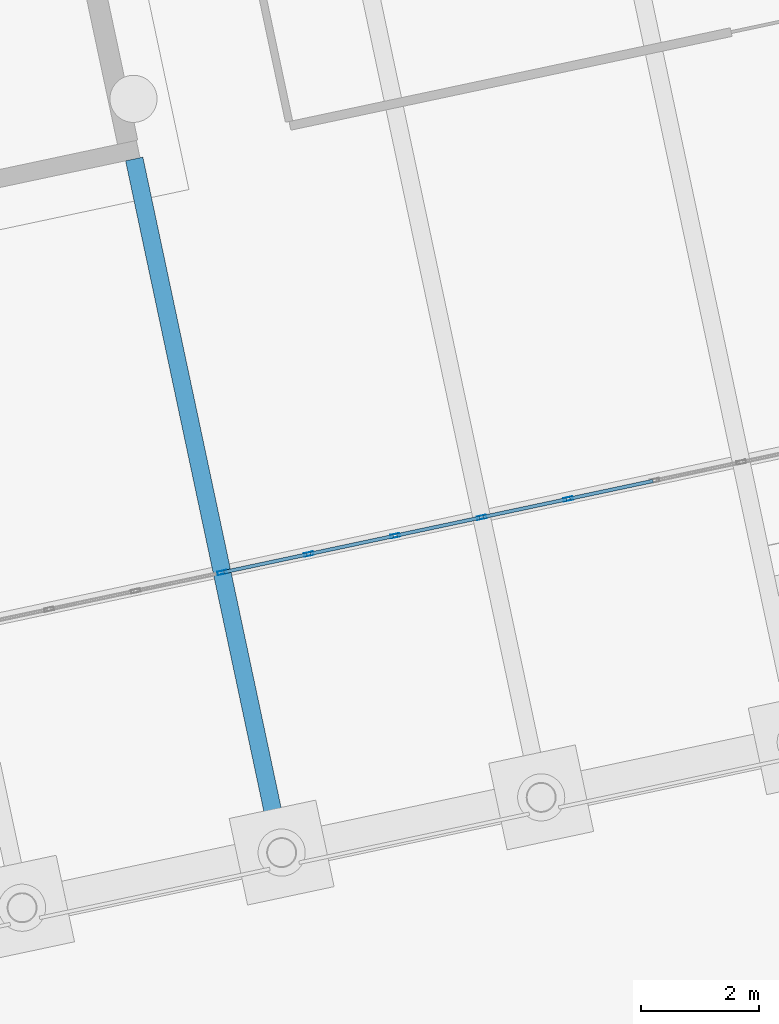
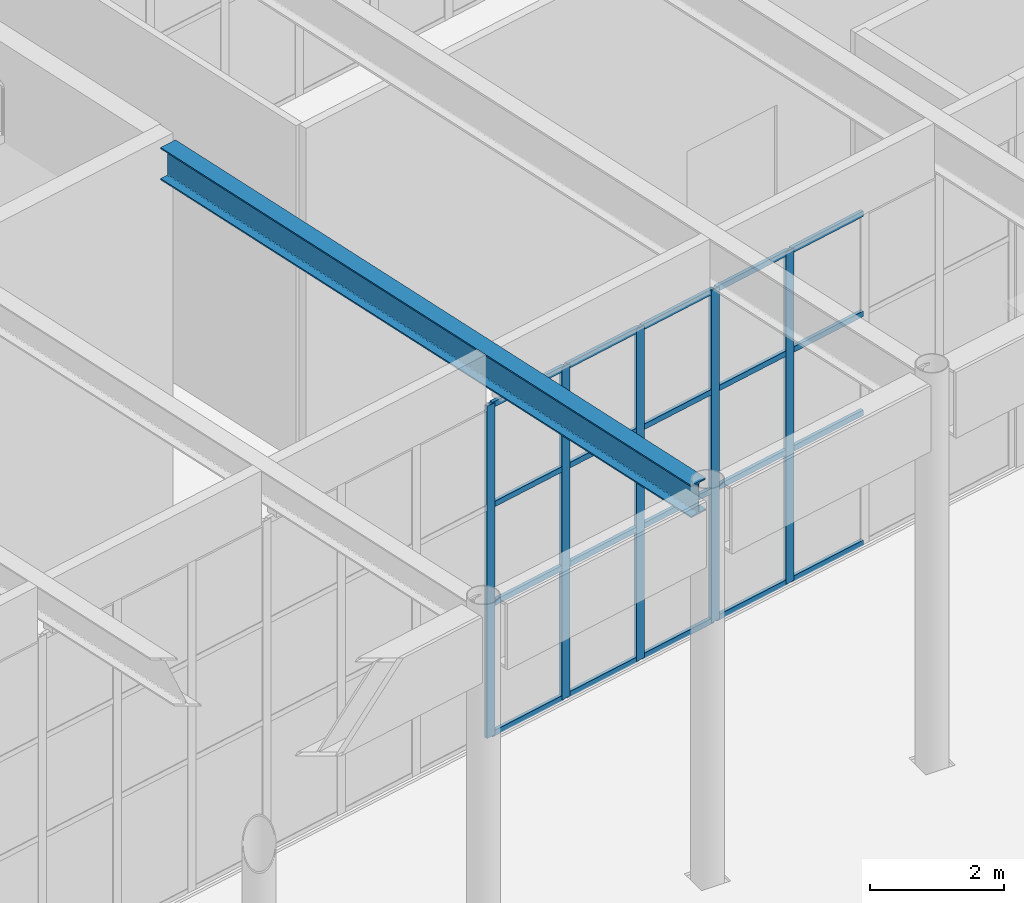
# One storey, part 66 of 239: 25 members, 1 beam, 1 element without a shape of its own.
"""IFC4 building model written with IfcOpenShell, lengths in metres."""

from ifc_helpers import new_model, si_unit, direction, frame, origin, origin_2d, place, context, subcontext, project, spatial, hollow_rectangle, i_section, extrude, material, material_profile, profile_set, type_object, element, aggregate, save


model = new_model("IFC4")

# Units and contexts
model_context = context("Model", 3, precision=1e-05, world=origin(), true_north=direction((0.0, 1.0)))
body_context = subcontext(model_context, "Body", "Model", "MODEL_VIEW")
ifc_project = project(units=[si_unit("LENGTHUNIT", "METRE"), si_unit("AREAUNIT", "SQUARE_METRE"), si_unit("VOLUMEUNIT", "CUBIC_METRE"), si_unit("PLANEANGLEUNIT", "RADIAN"), si_unit("MASSUNIT", "GRAM", prefix="KILO")], contexts=[model_context])

# Site, building, storey
site_placement = place(None, origin())
site = spatial("IfcSite", under=ifc_project, at=site_placement, CompositionType="ELEMENT")
building_placement = place(site_placement, origin())
building = spatial("IfcBuilding", under=site, at=building_placement, Name="Okhra Congress Centre", CompositionType="ELEMENT")
storey_placement = place(building_placement, origin())
storey = spatial("IfcBuildingStorey", under=building, at=storey_placement, Name="L00", CompositionType="ELEMENT", Elevation=0.0)

# Curtain wall, members
ifc_material_1 = material(Name="Aluminium curtain wall, triple glazing", Category="aluminium")
curtain_wall_type = type_object("IfcCurtainWallType", Name="Curtain wall 1500 module", PredefinedType="NOTDEFINED", material=ifc_material_1)
curtain_wall_placement = place(storey_placement, origin())
curtain_wall = element("IfcCurtainWall", 1, at=curtain_wall_placement, inside=storey, type_object=curtain_wall_type, Name="Ground curtain wall S2", PredefinedType="NOTDEFINED")
ifc_material_2 = material(Name="Aluminium alloy EN AW-6063 T66", Category="aluminium")
ifc_material_profile_1 = material_profile(ifc_material_2, hollow_rectangle(XDim=0.06005859375, YDim=0.159912109375, WallThickness=0.00390625, at=origin_2d()), Name="RHS 60x160x4")
ifc_profile_set_1 = profile_set([ifc_material_profile_1], Name="Aluminium alloy EN AW-6063 T66")
member_type_1 = type_object("IfcMemberType", Name="Curtain wall mullion 60x160", PredefinedType="MULLION", material=ifc_profile_set_1)
member_1_placement = place(storey_placement, frame((112.821533203125, 42.785400390625, 0.0), z_axis=(0.0, 0.0, 1.0), x_axis=(-0.207911690818, 0.978147600734, 0.0)))
member_1 = element("IfcMember", 2, at=member_1_placement, type_object=member_type_1, Name="CW7 mullion 17", PredefinedType="MULLION", context=body_context, shape_type="SweptSolid", body=[
    extrude(hollow_rectangle(XDim=0.06005859375, YDim=0.159912109375, WallThickness=0.00390625, at=origin_2d()), origin(), (0.0, 0.0, 1.0), 6.050048828125),
])
member_2_placement = place(storey_placement, frame((114.288818359375, 43.09716796875, 0.0), z_axis=(0.0, 0.0, 1.0), x_axis=(-0.207911690818, 0.978147600734, 0.0)))
member_2 = element("IfcMember", 3, at=member_2_placement, type_object=member_type_1, Name="CW7 mullion 18", PredefinedType="MULLION", context=body_context, shape_type="SweptSolid", body=[
    extrude(hollow_rectangle(XDim=0.06005859375, YDim=0.159912109375, WallThickness=0.00390625, at=origin_2d()), origin(), (0.0, 0.0, 1.0), 6.050048828125),
])
member_3_placement = place(storey_placement, frame((115.756103515625, 43.4091796875, 0.0), z_axis=(0.0, 0.0, 1.0), x_axis=(-0.207911690818, 0.978147600734, 0.0)))
member_3 = element("IfcMember", 4, at=member_3_placement, type_object=member_type_1, Name="CW7 mullion 19", PredefinedType="MULLION", context=body_context, shape_type="SweptSolid", body=[
    extrude(hollow_rectangle(XDim=0.06005859375, YDim=0.159912109375, WallThickness=0.00390625, at=origin_2d()), origin(), (0.0, 0.0, 1.0), 6.050048828125),
])
member_4_placement = place(storey_placement, frame((117.22314453125, 43.720947265625, 0.0), z_axis=(0.0, 0.0, 1.0), x_axis=(-0.207911690818, 0.978147600734, 0.0)))
member_4 = element("IfcMember", 5, at=member_4_placement, type_object=member_type_1, Name="CW7 mullion 20", PredefinedType="MULLION", context=body_context, shape_type="SweptSolid", body=[
    extrude(hollow_rectangle(XDim=0.06005859375, YDim=0.159912109375, WallThickness=0.00390625, at=origin_2d()), origin(), (0.0, 0.0, 1.0), 6.050048828125),
])
member_5_placement = place(storey_placement, frame((118.6904296875, 44.032958984375, 0.0), z_axis=(0.0, 0.0, 1.0), x_axis=(-0.207911690818, 0.978147600734, 0.0)))
member_5 = element("IfcMember", 6, at=member_5_placement, type_object=member_type_1, Name="CW7 mullion 21", PredefinedType="MULLION", context=body_context, shape_type="SweptSolid", body=[
    extrude(hollow_rectangle(XDim=0.06005859375, YDim=0.159912109375, WallThickness=0.00390625, at=origin_2d()), origin(), (0.0, 0.0, 1.0), 6.050048828125),
])
ifc_material_profile_2 = material_profile(ifc_material_2, hollow_rectangle(XDim=0.06005859375, YDim=0.10009765625, WallThickness=0.00390625, at=origin_2d()), Name="RHS 60x100x4")
ifc_profile_set_2 = profile_set([ifc_material_profile_2], Name="Aluminium alloy EN AW-6063 T66")
member_type_2 = type_object("IfcMemberType", Name="Curtain wall transom 60x100", PredefinedType="USERDEFINED", material=ifc_profile_set_2)
member_6_placement = place(storey_placement, frame((112.850830078125, 42.79150390625, 0.030029296875), z_axis=(0.978128682385, 0.208000674746, 0.0), x_axis=(-0.208000674746, 0.978128682385, 0.0)))
member_6 = element("IfcMember", 7, at=member_6_placement, type_object=member_type_2, Name="CW7 transom 17.1", ObjectType="TRANSOM", PredefinedType="USERDEFINED", context=body_context, shape_type="SweptSolid", body=[
    extrude(hollow_rectangle(XDim=0.06005859375, YDim=0.10009765625, WallThickness=0.00390625, at=origin_2d()), origin(), (0.0, 0.0, 1.0), 1.440185546875),
])
member_7_placement = place(storey_placement, frame((112.850830078125, 42.79150390625, 2.39990234375), z_axis=(0.978128682385, 0.208000674746, 0.0), x_axis=(-0.208000674746, 0.978128682385, 0.0)))
member_7 = element("IfcMember", 8, at=member_7_placement, type_object=member_type_2, Name="CW7 transom 17.2", ObjectType="TRANSOM", PredefinedType="USERDEFINED", context=body_context, shape_type="SweptSolid", body=[
    extrude(hollow_rectangle(XDim=0.06005859375, YDim=0.10009765625, WallThickness=0.00390625, at=origin_2d()), origin(), (0.0, 0.0, 1.0), 1.440185546875),
])
member_8_placement = place(storey_placement, frame((112.850830078125, 42.79150390625, 4.199951171875), z_axis=(0.978128682385, 0.208000674746, 0.0), x_axis=(-0.208000674746, 0.978128682385, 0.0)))
member_8 = element("IfcMember", 9, at=member_8_placement, type_object=member_type_2, Name="CW7 transom 17.3", ObjectType="TRANSOM", PredefinedType="USERDEFINED", context=body_context, shape_type="SweptSolid", body=[
    extrude(hollow_rectangle(XDim=0.06005859375, YDim=0.10009765625, WallThickness=0.00390625, at=origin_2d()), origin(), (0.0, 0.0, 1.0), 1.440185546875),
])
member_9_placement = place(storey_placement, frame((112.850830078125, 42.79150390625, 6.02001953125), z_axis=(0.978128682385, 0.208000674746, 0.0), x_axis=(-0.208000674746, 0.978128682385, 0.0)))
member_9 = element("IfcMember", 10, at=member_9_placement, type_object=member_type_2, Name="CW7 transom 17.4", ObjectType="TRANSOM", PredefinedType="USERDEFINED", context=body_context, shape_type="SweptSolid", body=[
    extrude(hollow_rectangle(XDim=0.06005859375, YDim=0.10009765625, WallThickness=0.00390625, at=origin_2d()), origin(), (0.0, 0.0, 1.0), 1.440185546875),
])
member_10_placement = place(storey_placement, frame((114.318115234375, 43.103515625, 0.030029296875), z_axis=(0.978155834385, 0.207872950764, 0.0), x_axis=(-0.207872950764, 0.978155834385, 0.0)))
member_10 = element("IfcMember", 11, at=member_10_placement, type_object=member_type_2, Name="CW7 transom 18.1", ObjectType="TRANSOM", PredefinedType="USERDEFINED", context=body_context, shape_type="SweptSolid", body=[
    extrude(hollow_rectangle(XDim=0.06005859375, YDim=0.10009765625, WallThickness=0.00390625, at=origin_2d()), origin(), (0.0, 0.0, 1.0), 1.43994140625),
])
member_11_placement = place(storey_placement, frame((114.318115234375, 43.103515625, 2.39990234375), z_axis=(0.978155834385, 0.207872950764, 0.0), x_axis=(-0.207872950764, 0.978155834385, 0.0)))
member_11 = element("IfcMember", 12, at=member_11_placement, type_object=member_type_2, Name="CW7 transom 18.2", ObjectType="TRANSOM", PredefinedType="USERDEFINED", context=body_context, shape_type="SweptSolid", body=[
    extrude(hollow_rectangle(XDim=0.06005859375, YDim=0.10009765625, WallThickness=0.00390625, at=origin_2d()), origin(), (0.0, 0.0, 1.0), 1.43994140625),
])
member_12_placement = place(storey_placement, frame((114.318115234375, 43.103515625, 4.199951171875), z_axis=(0.978155834385, 0.207872950764, 0.0), x_axis=(-0.207872950764, 0.978155834385, 0.0)))
member_12 = element("IfcMember", 13, at=member_12_placement, type_object=member_type_2, Name="CW7 transom 18.3", ObjectType="TRANSOM", PredefinedType="USERDEFINED", context=body_context, shape_type="SweptSolid", body=[
    extrude(hollow_rectangle(XDim=0.06005859375, YDim=0.10009765625, WallThickness=0.00390625, at=origin_2d()), origin(), (0.0, 0.0, 1.0), 1.43994140625),
])
member_13_placement = place(storey_placement, frame((114.318115234375, 43.103515625, 6.02001953125), z_axis=(0.978155834385, 0.207872950764, 0.0), x_axis=(-0.207872950764, 0.978155834385, 0.0)))
member_13 = element("IfcMember", 14, at=member_13_placement, type_object=member_type_2, Name="CW7 transom 18.4", ObjectType="TRANSOM", PredefinedType="USERDEFINED", context=body_context, shape_type="SweptSolid", body=[
    extrude(hollow_rectangle(XDim=0.06005859375, YDim=0.10009765625, WallThickness=0.00390625, at=origin_2d()), origin(), (0.0, 0.0, 1.0), 1.43994140625),
])
member_14_placement = place(storey_placement, frame((115.785400390625, 43.415283203125, 0.030029296875), z_axis=(0.978121346413, 0.208035169362, 0.0), x_axis=(-0.208035169362, 0.978121346413, 0.0)))
member_14 = element("IfcMember", 15, at=member_14_placement, type_object=member_type_2, Name="CW7 transom 19.1", ObjectType="TRANSOM", PredefinedType="USERDEFINED", context=body_context, shape_type="SweptSolid", body=[
    extrude(hollow_rectangle(XDim=0.06005859375, YDim=0.10009765625, WallThickness=0.00390625, at=origin_2d()), origin(), (0.0, 0.0, 1.0), 1.43994140625),
])
member_15_placement = place(storey_placement, frame((115.785400390625, 43.415283203125, 2.39990234375), z_axis=(0.978121346413, 0.208035169362, 0.0), x_axis=(-0.208035169362, 0.978121346413, 0.0)))
member_15 = element("IfcMember", 16, at=member_15_placement, type_object=member_type_2, Name="CW7 transom 19.2", ObjectType="TRANSOM", PredefinedType="USERDEFINED", context=body_context, shape_type="SweptSolid", body=[
    extrude(hollow_rectangle(XDim=0.06005859375, YDim=0.10009765625, WallThickness=0.00390625, at=origin_2d()), origin(), (0.0, 0.0, 1.0), 1.43994140625),
])
member_16_placement = place(storey_placement, frame((115.785400390625, 43.415283203125, 4.199951171875), z_axis=(0.978121346413, 0.208035169362, 0.0), x_axis=(-0.208035169362, 0.978121346413, 0.0)))
member_16 = element("IfcMember", 17, at=member_16_placement, type_object=member_type_2, Name="CW7 transom 19.3", ObjectType="TRANSOM", PredefinedType="USERDEFINED", context=body_context, shape_type="SweptSolid", body=[
    extrude(hollow_rectangle(XDim=0.06005859375, YDim=0.10009765625, WallThickness=0.00390625, at=origin_2d()), origin(), (0.0, 0.0, 1.0), 1.43994140625),
])
member_17_placement = place(storey_placement, frame((115.785400390625, 43.415283203125, 6.02001953125), z_axis=(0.978121346413, 0.208035169362, 0.0), x_axis=(-0.208035169362, 0.978121346413, 0.0)))
member_17 = element("IfcMember", 18, at=member_17_placement, type_object=member_type_2, Name="CW7 transom 19.4", ObjectType="TRANSOM", PredefinedType="USERDEFINED", context=body_context, shape_type="SweptSolid", body=[
    extrude(hollow_rectangle(XDim=0.06005859375, YDim=0.10009765625, WallThickness=0.00390625, at=origin_2d()), origin(), (0.0, 0.0, 1.0), 1.43994140625),
])
member_18_placement = place(storey_placement, frame((117.25244140625, 43.727294921875, 0.030029296875), z_axis=(0.978163159179, 0.207838480616, 0.0), x_axis=(-0.207838480616, 0.978163159179, 0.0)))
member_18 = element("IfcMember", 19, at=member_18_placement, type_object=member_type_2, Name="CW7 transom 20.1", ObjectType="TRANSOM", PredefinedType="USERDEFINED", context=body_context, shape_type="SweptSolid", body=[
    extrude(hollow_rectangle(XDim=0.06005859375, YDim=0.10009765625, WallThickness=0.00390625, at=origin_2d()), origin(), (0.0, 0.0, 1.0), 1.440185546875),
])
member_19_placement = place(storey_placement, frame((117.25244140625, 43.727294921875, 2.39990234375), z_axis=(0.978163159179, 0.207838480616, 0.0), x_axis=(-0.207838480616, 0.978163159179, 0.0)))
member_19 = element("IfcMember", 20, at=member_19_placement, type_object=member_type_2, Name="CW7 transom 20.2", ObjectType="TRANSOM", PredefinedType="USERDEFINED", context=body_context, shape_type="SweptSolid", body=[
    extrude(hollow_rectangle(XDim=0.06005859375, YDim=0.10009765625, WallThickness=0.00390625, at=origin_2d()), origin(), (0.0, 0.0, 1.0), 1.440185546875),
])
member_20_placement = place(storey_placement, frame((117.25244140625, 43.727294921875, 4.199951171875), z_axis=(0.978163159179, 0.207838480616, 0.0), x_axis=(-0.207838480616, 0.978163159179, 0.0)))
member_20 = element("IfcMember", 21, at=member_20_placement, type_object=member_type_2, Name="CW7 transom 20.3", ObjectType="TRANSOM", PredefinedType="USERDEFINED", context=body_context, shape_type="SweptSolid", body=[
    extrude(hollow_rectangle(XDim=0.06005859375, YDim=0.10009765625, WallThickness=0.00390625, at=origin_2d()), origin(), (0.0, 0.0, 1.0), 1.440185546875),
])
member_21_placement = place(storey_placement, frame((117.25244140625, 43.727294921875, 6.02001953125), z_axis=(0.978163159179, 0.207838480616, 0.0), x_axis=(-0.207838480616, 0.978163159179, 0.0)))
member_21 = element("IfcMember", 22, at=member_21_placement, type_object=member_type_2, Name="CW7 transom 20.4", ObjectType="TRANSOM", PredefinedType="USERDEFINED", context=body_context, shape_type="SweptSolid", body=[
    extrude(hollow_rectangle(XDim=0.06005859375, YDim=0.10009765625, WallThickness=0.00390625, at=origin_2d()), origin(), (0.0, 0.0, 1.0), 1.440185546875),
])
member_22_placement = place(storey_placement, frame((118.7197265625, 44.0390625, 0.030029296875), z_axis=(0.978163159179, 0.207838480616, 0.0), x_axis=(-0.207838480616, 0.978163159179, 0.0)))
member_22 = element("IfcMember", 23, at=member_22_placement, type_object=member_type_2, Name="CW7 transom 21.1", ObjectType="TRANSOM", PredefinedType="USERDEFINED", context=body_context, shape_type="SweptSolid", body=[
    extrude(hollow_rectangle(XDim=0.06005859375, YDim=0.10009765625, WallThickness=0.00390625, at=origin_2d()), origin(), (0.0, 0.0, 1.0), 1.440185546875),
])
member_23_placement = place(storey_placement, frame((118.7197265625, 44.0390625, 2.39990234375), z_axis=(0.978163159179, 0.207838480616, 0.0), x_axis=(-0.207838480616, 0.978163159179, 0.0)))
member_23 = element("IfcMember", 24, at=member_23_placement, type_object=member_type_2, Name="CW7 transom 21.2", ObjectType="TRANSOM", PredefinedType="USERDEFINED", context=body_context, shape_type="SweptSolid", body=[
    extrude(hollow_rectangle(XDim=0.06005859375, YDim=0.10009765625, WallThickness=0.00390625, at=origin_2d()), origin(), (0.0, 0.0, 1.0), 1.440185546875),
])
member_24_placement = place(storey_placement, frame((118.7197265625, 44.0390625, 4.199951171875), z_axis=(0.978163159179, 0.207838480616, 0.0), x_axis=(-0.207838480616, 0.978163159179, 0.0)))
member_24 = element("IfcMember", 25, at=member_24_placement, type_object=member_type_2, Name="CW7 transom 21.3", ObjectType="TRANSOM", PredefinedType="USERDEFINED", context=body_context, shape_type="SweptSolid", body=[
    extrude(hollow_rectangle(XDim=0.06005859375, YDim=0.10009765625, WallThickness=0.00390625, at=origin_2d()), origin(), (0.0, 0.0, 1.0), 1.440185546875),
])
member_25_placement = place(storey_placement, frame((118.7197265625, 44.0390625, 6.02001953125), z_axis=(0.978163159179, 0.207838480616, 0.0), x_axis=(-0.207838480616, 0.978163159179, 0.0)))
member_25 = element("IfcMember", 26, at=member_25_placement, type_object=member_type_2, Name="CW7 transom 21.4", ObjectType="TRANSOM", PredefinedType="USERDEFINED", context=body_context, shape_type="SweptSolid", body=[
    extrude(hollow_rectangle(XDim=0.06005859375, YDim=0.10009765625, WallThickness=0.00390625, at=origin_2d()), origin(), (0.0, 0.0, 1.0), 1.440185546875),
])
aggregate(curtain_wall, [member_1, member_2, member_3, member_4, member_5, member_6, member_7, member_8, member_9, member_10, member_11, member_12, member_13, member_14, member_15, member_16, member_17, member_18, member_19, member_20, member_21, member_22, member_23, member_24, member_25])

# Beam
ifc_material_3 = material(Name="Steel S355J2", Category="steel")
ifc_material_profile_3 = material_profile(ifc_material_3, i_section(OverallWidth=0.300048828125, OverallDepth=0.590087890625, WebThickness=0.012939453125, FlangeThickness=0.02490234375, FilletRadius=0.027099609375, at=origin_2d()), Name="HE 600 A")
ifc_profile_set_3 = profile_set([ifc_material_profile_3], Name="Steel S355J2")
beam_type = type_object("IfcBeamType", Name="Floor beam HE 600 A", PredefinedType="BEAM", material=ifc_profile_set_3)
beam_placement = place(storey_placement, frame((113.789306640625, 38.232177734375, 6.7548828125), z_axis=(-0.207910117102, 0.978147935236, 0.0), x_axis=(-0.978147935236, -0.207910117102, 0.0)))
element("IfcBeam", 27, at=beam_placement, inside=storey, type_object=beam_type, Name="Floor beam 12.1", PredefinedType="BEAM", context=body_context, shape_type="SweptSolid", body=[
    extrude(i_section(OverallWidth=0.300048828125, OverallDepth=0.590087890625, WebThickness=0.012939453125, FlangeThickness=0.02490234375, FilletRadius=0.027099609375, at=origin_2d()), origin(), (0.0, 0.0, 1.0), 11.82470703125),
])

save(model, "model.ifc")
